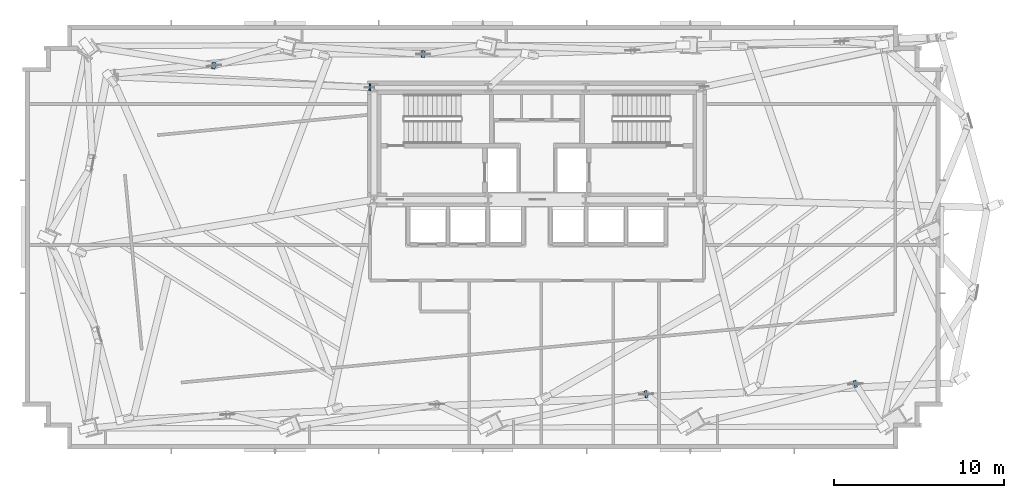
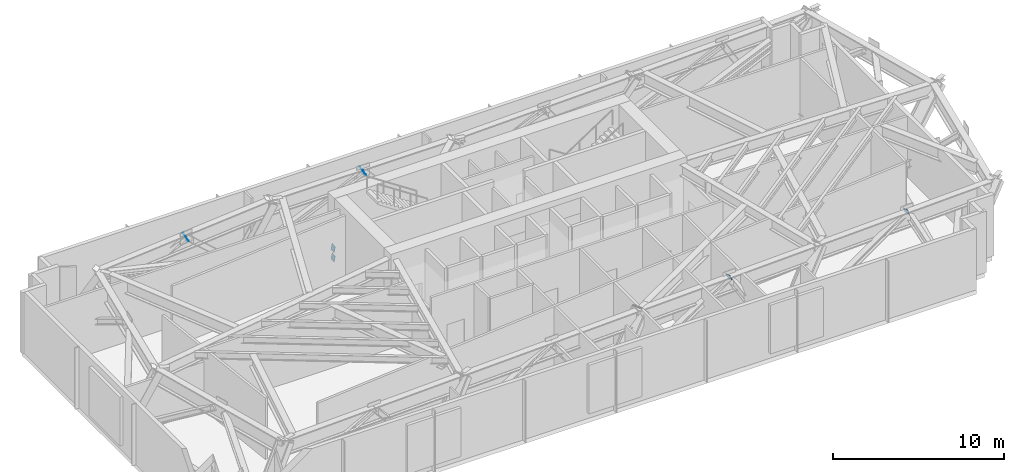
# One storey, part 5 of 11: 6 plates.
"""IFC4 building model written with IfcOpenShell, lengths in metres."""

from ifc_helpers import new_model, si_unit, direction, frame, origin, origin_2d, place, context, subcontext, project, spatial, rectangle, extrude, source, transform, mapped, material, layer, layer_set, type_object, type_shapes, element, save


model = new_model("IFC4")

# Units and contexts
model_context = context("Model", 3, precision=1e-05, world=origin(), true_north=direction((0.0, 1.0)))
body_context = subcontext(model_context, "Body", "Model", "MODEL_VIEW")
ifc_project = project(units=[si_unit("LENGTHUNIT", "METRE"), si_unit("AREAUNIT", "SQUARE_METRE"), si_unit("VOLUMEUNIT", "CUBIC_METRE"), si_unit("PLANEANGLEUNIT", "RADIAN"), si_unit("MASSUNIT", "GRAM", prefix="KILO")], contexts=[model_context])

# Site, building, storey
site_placement = place(None, origin())
site = spatial("IfcSite", under=ifc_project, at=site_placement, CompositionType="ELEMENT")
building_placement = place(site_placement, origin())
building = spatial("IfcBuilding", under=site, at=building_placement, Name="Astriad Promenade Condominiums", CompositionType="ELEMENT")
storey_placement = place(building_placement, frame((0.0, 0.0, 67.800048828125)))
storey = spatial("IfcBuildingStorey", under=building, at=storey_placement, Name="L19", CompositionType="ELEMENT", Elevation=67.800048828125)

# Plates
ifc_material = material(Name="Steel ASTM A572 Grade 50", Category="steel")
ifc_layer = layer(ifc_material, 0.02490234375)
ifc_layer_set = layer_set([ifc_layer], Name="Steel ASTM A572 Grade 50")
plate_type = type_object("IfcPlateType", Name="STEEL HOLLOW SECTION END CAP PLATE 30", PredefinedType="USERDEFINED", material=ifc_layer_set)
shared_shape = source(origin(), body_context, "Body", "SweptSolid", [
    extrude(rectangle(XDim=0.41259765625, YDim=0.40771484375, at=origin_2d()), origin(), (0.0, 0.0, 1.0), 0.02490234375),
])
type_shapes(plate_type, [shared_shape])
for number, where, z_axis, x_axis, name in (
    (1, (42.42236328125, 5.921630859375, 4.190185546875), (0.903323921098, 0.18800244202, 0.385565786042), (-0.203756850813, 0.97902152466, 0.0), "Hollow Section End Cap Plate BRACE-BELT-L19-03A-B"),
    (2, (54.7607421875, 6.520263671875, 4.190673828125), (0.903611677881, 0.22768931597, 0.362827108952), (-0.2443394688, 0.969689756565, 0.0), "Hollow Section End Cap Plate BRACE-BELT-L19-04A-B"),
    (3, (16.92822265625, 25.302734375, 4.188232421875), (0.871537026345, -0.134416914053, 0.471545655187), (0.152427495464, 0.988314655677, 0.0), "Hollow Section End Cap Plate BRACE-BELT-L19-05A-B"),
    (4, (29.269775390625, 25.974853515625, 4.188720703125), (0.893024576861, -0.058057649991, 0.446247032931), (0.064875419518, 0.997893371028, 0.0), "Hollow Section End Cap Plate BRACE-BELT-L19-06A-B"),
    (5, (26.15087890625, 24.01416015625, 0.29248046875), (-0.976915710165, 0.055867728009, 0.206190427035), (-0.057094583013, -0.998368773846, 0.0), "Hollow Section End Cap Plate BRACE-OUT-L19-01A-A"),
    (6, (26.150390625, 24.010498046875, 0.971435546875), (-0.978643680306, 0.040823475013, 0.201469578063), (-0.041678093813, -0.999131090746, 0.0), "Hollow Section End Cap Plate BRACE-OUT-L19-01B-A"),
):
    element("IfcPlate", number, at=place(storey_placement, frame(where, z_axis=z_axis, x_axis=x_axis)), inside=storey, type_object=plate_type, Name=name, ObjectType="STIFFENER_PLATE", PredefinedType="USERDEFINED", context=body_context, shape_type="MappedRepresentation", body=[
        mapped(shared_shape, transform((0.0, 0.0, 0.0), scale=1.0)),
    ])

save(model, "model.ifc")
